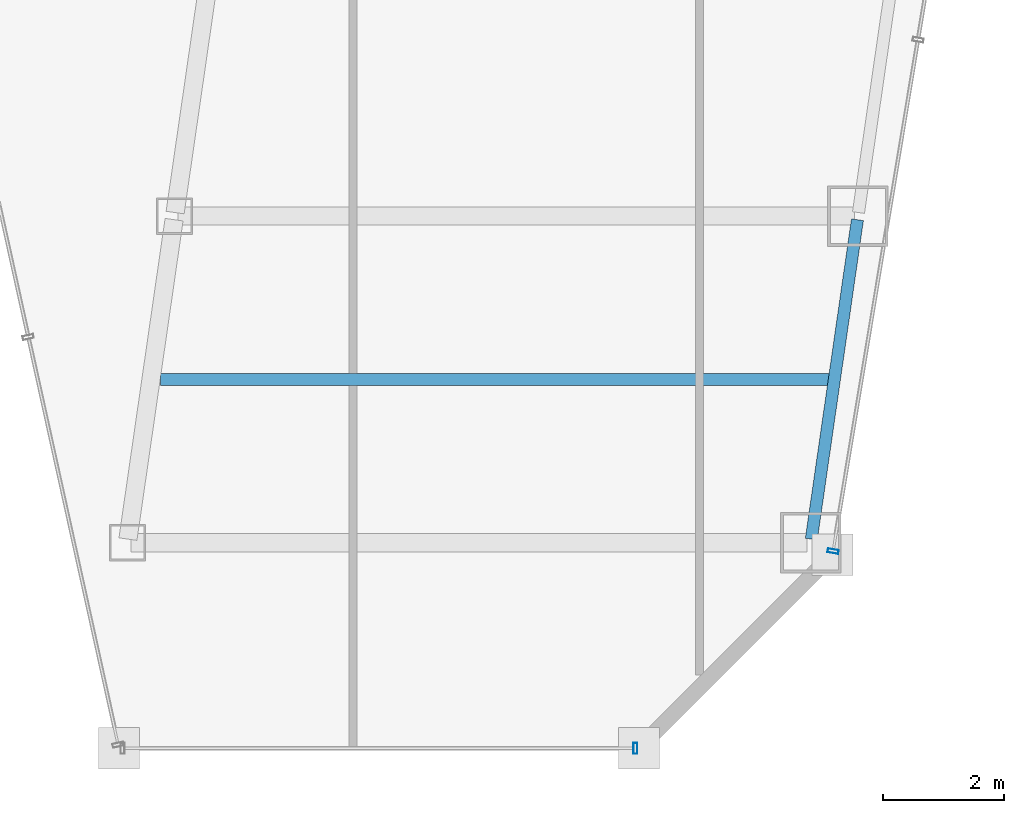
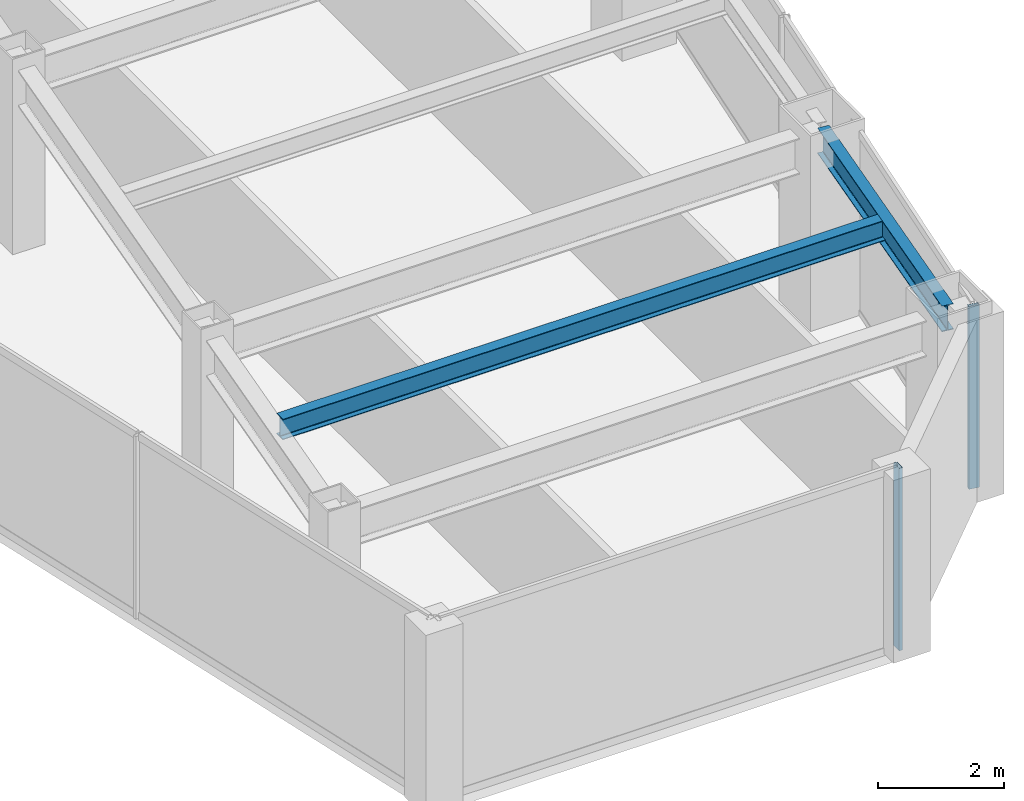
# One storey, part 18 of 40: 2 beams, 2 members, 2 elements without a shape of their own.
"""IFC4 building model written with IfcOpenShell, lengths in metres."""

from ifc_helpers import new_model, si_unit, direction, frame, origin, origin_2d, place, context, subcontext, project, spatial, hollow_rectangle, i_section, extrude, material, material_profile, profile_set, type_object, element, aggregate, save


model = new_model("IFC4")

# Units and contexts
model_context = context("Model", 3, precision=1e-05, world=origin(), true_north=direction((0.0, 1.0)))
body_context = subcontext(model_context, "Body", "Model", "MODEL_VIEW")
ifc_project = project(units=[si_unit("LENGTHUNIT", "METRE"), si_unit("AREAUNIT", "SQUARE_METRE"), si_unit("VOLUMEUNIT", "CUBIC_METRE"), si_unit("PLANEANGLEUNIT", "RADIAN"), si_unit("MASSUNIT", "GRAM", prefix="KILO")], contexts=[model_context])

# Site, building, storey
site_placement = place(None, origin())
site = spatial("IfcSite", under=ifc_project, at=site_placement, CompositionType="ELEMENT")
building_placement = place(site_placement, origin())
building = spatial("IfcBuilding", under=site, at=building_placement, Name="Saevonmaru Cultural Tower", CompositionType="ELEMENT")
storey_placement = place(building_placement, frame((0.0, 0.0, 129.60009765625)))
storey = spatial("IfcBuildingStorey", under=building, at=storey_placement, Name="L27", CompositionType="ELEMENT", Elevation=129.60009765625)

# Beams
ifc_material_1 = material(Name="Steel SM355", Category="steel")
ifc_material_profile_1 = material_profile(ifc_material_1, i_section(OverallWidth=0.199951171875, OverallDepth=0.39990234375, WebThickness=0.008056640625, FlangeThickness=0.012939453125, FilletRadius=0.01611328125, at=origin_2d()), Name="H-400x200x8x13")
ifc_profile_set_1 = profile_set([ifc_material_profile_1], Name="Steel SM355")
beam_type_1 = type_object("IfcBeamType", Name="BM-J-H400", PredefinedType="JOIST", material=ifc_profile_set_1)
beam_1_placement = place(storey_placement, frame((37.840087890625, 13.300048828125, 3.349853515625), z_axis=(1.0, 0.0, 0.0), x_axis=(0.0, 1.0, 0.0)))
element("IfcBeam", 1, at=beam_1_placement, inside=storey, type_object=beam_type_1, Name="L27 East Wing Floor Joist 1", PredefinedType="JOIST", context=body_context, shape_type="SweptSolid", body=[
    extrude(i_section(OverallWidth=0.199951171875, OverallDepth=0.39990234375, WebThickness=0.008056640625, FlangeThickness=0.012939453125, FilletRadius=0.01611328125, at=origin_2d()), origin(), (0.0, 0.0, 1.0), 11.08203125),
])
ifc_material_profile_2 = material_profile(ifc_material_1, i_section(OverallWidth=0.199951171875, OverallDepth=0.5, WebThickness=0.010009765625, FlangeThickness=0.01611328125, FilletRadius=0.02001953125, at=origin_2d()), Name="H-500x200x10x16")
ifc_profile_set_2 = profile_set([ifc_material_profile_2], Name="Steel SM355")
beam_type_2 = type_object("IfcBeamType", Name="BM-SP-H500", PredefinedType="SPANDREL", material=ifc_profile_set_2)
beam_2_placement = place(storey_placement, frame((48.6005859375, 10.659423828125, 3.2998046875), z_axis=(0.1429328758, 0.989732384544, 0.0), x_axis=(-0.989732384544, 0.1429328758, 0.0)))
element("IfcBeam", 2, at=beam_2_placement, inside=storey, type_object=beam_type_2, Name="L27 East Splayed Spandrel 1", PredefinedType="SPANDREL", context=body_context, shape_type="SweptSolid", body=[
    extrude(i_section(OverallWidth=0.199951171875, OverallDepth=0.5, WebThickness=0.010009765625, FlangeThickness=0.01611328125, FilletRadius=0.02001953125, at=origin_2d()), origin(), (0.0, 0.0, 1.0), 5.3359375),
])

# Curtain wall, member
ifc_material_2 = material(Name="Satin Bronze Anodised Aluminium", Category="aluminium")
curtain_wall_type = type_object("IfcCurtainWallType", Name="CW-SKY-GLZ", PredefinedType="NOTDEFINED", material=ifc_material_2)
curtain_wall_1_placement = place(storey_placement, origin())
curtain_wall_1 = element("IfcCurtainWall", 3, at=curtain_wall_1_placement, inside=storey, type_object=curtain_wall_type, Name="L27 Unitised Curtain Wall E6", PredefinedType="NOTDEFINED")
ifc_material_profile_3 = material_profile(ifc_material_2, hollow_rectangle(XDim=0.06494140625, YDim=0.179931640625, WallThickness=0.00390625, at=origin_2d()), Name="ALU-MULL-180x65x4")
ifc_profile_set_3 = profile_set([ifc_material_profile_3], Name="Satin Bronze Anodised Aluminium")
member_type = type_object("IfcMemberType", Name="ML-CW-180x65", PredefinedType="MULLION", material=ifc_profile_set_3)
member_1_placement = place(storey_placement, frame((45.691162109375, 7.199951171875, 0.0), z_axis=(0.0, 0.0, 1.0), x_axis=(1.0, 0.0, 0.0)))
member_1 = element("IfcMember", 4, at=member_1_placement, type_object=member_type, Name="CW-TW-L27-E6 mullion 2", PredefinedType="MULLION", context=body_context, shape_type="SweptSolid", body=[
    extrude(hollow_rectangle(XDim=0.06494140625, YDim=0.179931640625, WallThickness=0.00390625, at=origin_2d()), origin(), (0.0, 0.0, 1.0), 3.5498046875),
])
aggregate(curtain_wall_1, [member_1])

curtain_wall_2_placement = place(storey_placement, origin())
curtain_wall_2 = element("IfcCurtainWall", 5, at=curtain_wall_2_placement, inside=storey, type_object=curtain_wall_type, Name="L27 Unitised Curtain Wall E8", PredefinedType="NOTDEFINED")
member_2_placement = place(storey_placement, frame((48.9609375, 10.459228515625, 0.0), z_axis=(0.0, 0.0, 1.0), x_axis=(0.163998702345, 0.986460554523, 0.0)))
member_2 = element("IfcMember", 6, at=member_2_placement, type_object=member_type, Name="CW-TW-L27-E8 mullion 1", PredefinedType="MULLION", context=body_context, shape_type="SweptSolid", body=[
    extrude(hollow_rectangle(XDim=0.06494140625, YDim=0.179931640625, WallThickness=0.00390625, at=origin_2d()), origin(), (0.0, 0.0, 1.0), 3.5498046875),
])
aggregate(curtain_wall_2, [member_2])

save(model, "model.ifc")
